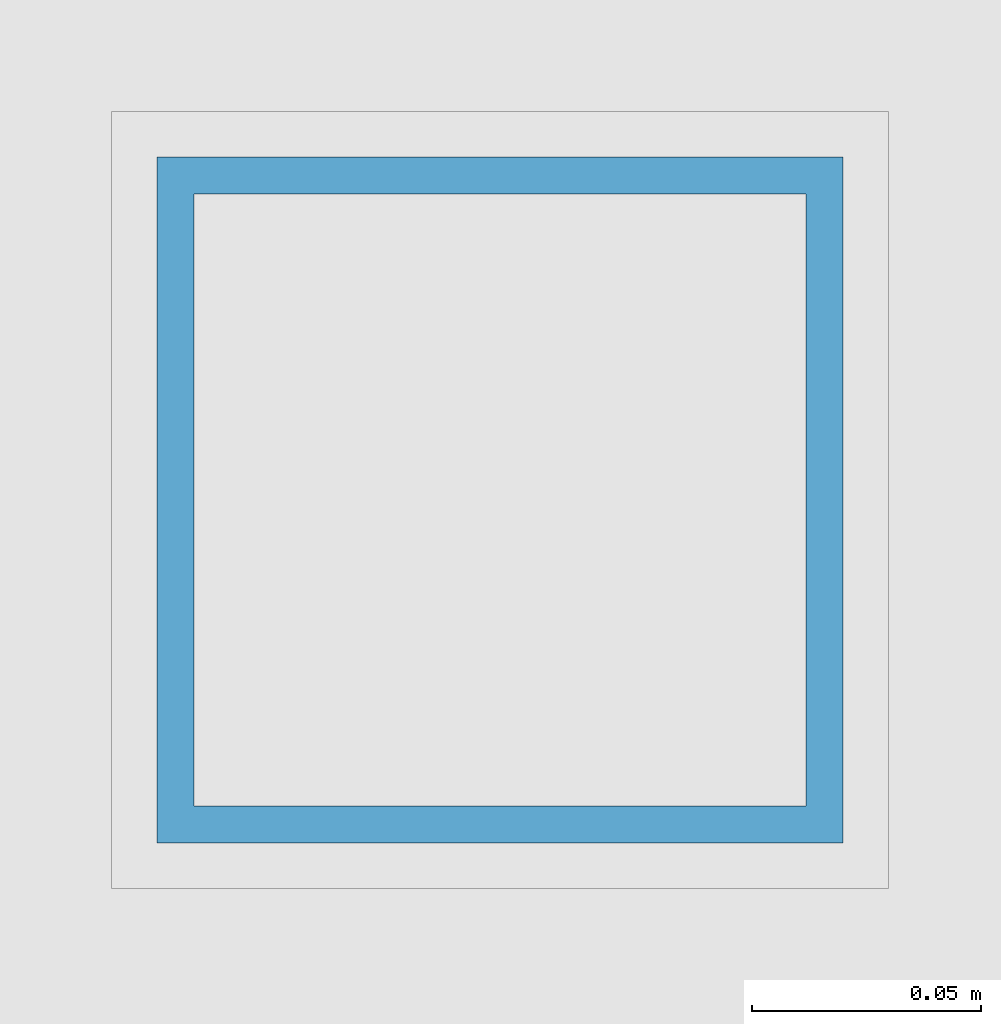
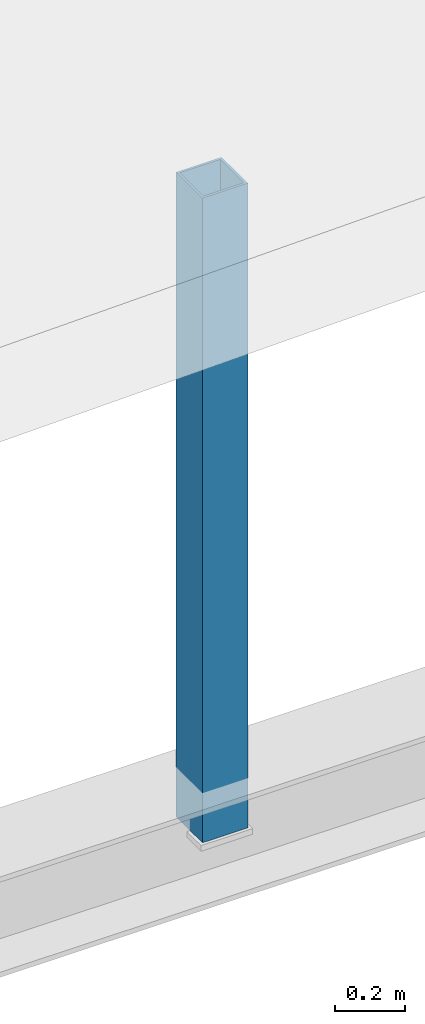
# One storey, part 61 of 204: 1 member.
"""IFC4 building model written with IfcOpenShell, lengths in metres."""

import ifcopenshell
import ifcopenshell.guid

model = None  # the IFC model being written
_history = None  # IfcOwnerHistory: only IFC2X3 demands one
_inside = {}  # id of a spatial element -> (the spatial element, [elements in it])
_under = {}  # id of a project, library or spatial element -> (it, [spatial elements below it])
_declared = {}  # id of a project -> (the project, [libraries it declares])
_typed = {}  # id of a type object -> (the type object, [elements of that type])
_made_of = {}  # id of a material, layer set ... -> (it, [elements and type objects made of it])


def new_model(schema):
    """Start an empty IFC model of exactly this schema.

    Asked for "IFC4X3", IfcOpenShell would pick the latest addendum, in which some entities
    have other attributes; the version numbers below select the first issue.
    IFC2X3 requires an IfcOwnerHistory on every rooted entity: one is made here for all.
    """
    global model, _history
    if schema == "IFC4X3":
        model = ifcopenshell.file(schema_version=(4, 3, 0, 0))
    else:
        model = ifcopenshell.file(schema=schema)
    _inside.clear()
    _under.clear()
    _declared.clear()
    _typed.clear()
    _made_of.clear()
    _history = None
    if model.schema == "IFC2X3":
        org = make("IfcOrganization", Name="unknown")
        user = make(
            "IfcPersonAndOrganization",
            ThePerson=make("IfcPerson", FamilyName="unknown"),
            TheOrganization=org,
        )
        app = make(
            "IfcApplication",
            ApplicationDeveloper=org,
            Version="unknown",
            ApplicationFullName="unknown",
            ApplicationIdentifier="unknown",
        )
        _history = make(
            "IfcOwnerHistory",
            OwningUser=user,
            OwningApplication=app,
            ChangeAction="ADDED",
            CreationDate=0,
        )
    return model


def make(cls, **values):
    """One entity of the class cls with the attributes given. An attribute that is None is left unset."""
    return model.create_entity(
        cls, **{name: value for name, value in values.items() if value is not None}
    )


def rooted(cls, **values):
    """An entity with a GlobalId (a new one), such as an element, a storey or a relation."""
    return make(cls, GlobalId=ifcopenshell.guid.new(), OwnerHistory=_history, **values)


def si_unit(unit_type, name, prefix=None):
    """IfcSIUnit, for example si_unit("LENGTHUNIT", "METRE", prefix="MILLI")."""
    return make("IfcSIUnit", UnitType=unit_type, Prefix=prefix, Name=name)


def assignment(units):
    """IfcUnitAssignment: the units of a project."""
    return None if units is None else make("IfcUnitAssignment", Units=units)


def point(xyz):
    """IfcCartesianPoint."""
    return None if xyz is None else make("IfcCartesianPoint", Coordinates=xyz)


def direction(xyz):
    """IfcDirection."""
    return None if xyz is None else make("IfcDirection", DirectionRatios=xyz)


def frame(location, z_axis=None, x_axis=None):
    """IfcAxis2Placement3D, a coordinate frame: its origin and axes. An axis left out is left unset."""
    return make(
        "IfcAxis2Placement3D",
        Location=point(location),
        Axis=direction(z_axis),
        RefDirection=direction(x_axis),
    )


def frame_2d(location, x_axis=None):
    """IfcAxis2Placement2D, a coordinate frame in the plane: its origin and x axis."""
    return make(
        "IfcAxis2Placement2D", Location=point(location), RefDirection=direction(x_axis)
    )


def origin():
    """The frame at (0, 0, 0) with its axes left unset."""
    return frame((0.0, 0.0, 0.0))


def origin_2d():
    """The frame at (0, 0) in the plane with its x axis left unset."""
    return frame_2d((0.0, 0.0))


def place(relative_to, where):
    """IfcLocalPlacement: puts the frame where relative to a parent placement (None: the world)."""
    return make(
        "IfcLocalPlacement", PlacementRelTo=relative_to, RelativePlacement=where
    )


def context(
    kind, dimensions, precision=None, world=None, true_north=None, identifier=None
):
    """IfcGeometricRepresentationContext, for example the 3D "Model" context."""
    return make(
        "IfcGeometricRepresentationContext",
        ContextIdentifier=identifier,
        ContextType=kind,
        CoordinateSpaceDimension=dimensions,
        Precision=precision,
        WorldCoordinateSystem=world,
        TrueNorth=true_north,
    )


def subcontext(parent, identifier, kind, view, scale=None):
    """IfcGeometricRepresentationSubContext, for example "Body" below "Model"."""
    return make(
        "IfcGeometricRepresentationSubContext",
        ContextIdentifier=identifier,
        ContextType=kind,
        ParentContext=parent,
        TargetScale=scale,
        TargetView=view,
    )


def project(units=None, contexts=None):
    """IfcProject with its units and contexts."""
    return rooted(
        "IfcProject",
        Name="project",
        RepresentationContexts=contexts,
        UnitsInContext=assignment(units),
    )


def spatial(cls, under=None, at=None, **own):
    """A site, building, storey or space (cls), placed at a placement, below another one or the project."""
    s = rooted(cls, ObjectPlacement=at, **own)
    if under is not None:
        _under.setdefault(under.id(), (under, []))[1].append(s)
    return s


def profile(cls, at=None, kind="AREA", **sizes):
    """A parametric profile (cls). Its sizes go by their IFC names, for example OverallWidth=200.0."""
    return make(cls, ProfileType=kind, Position=at, **sizes)


def hollow_rectangle(**sizes):
    """IfcRectangleHollowProfileDef."""
    return profile("IfcRectangleHollowProfileDef", **sizes)


def extrude(swept, where, along, depth):
    """IfcExtrudedAreaSolid: the profile swept, set in the frame where, extruded along a direction by depth."""
    return make(
        "IfcExtrudedAreaSolid",
        SweptArea=swept,
        Position=where,
        ExtrudedDirection=direction(along),
        Depth=depth,
    )


def shape(context_of_items, identifier, shape_type, items):
    """IfcShapeRepresentation: the items that make up one representation, for example the "Body"."""
    return make(
        "IfcShapeRepresentation",
        ContextOfItems=context_of_items,
        RepresentationIdentifier=identifier,
        RepresentationType=shape_type,
        Items=items,
    )


def material(Name=None, Category=None):
    """IfcMaterial."""
    return make("IfcMaterial", Name=Name, Category=Category)


def material_profile(
    of_material, cross_section, Name=None, Category=None, Priority=None
):
    """IfcMaterialProfile: a cross section and its material."""
    return make(
        "IfcMaterialProfile",
        Name=Name,
        Material=of_material,
        Profile=cross_section,
        Priority=Priority,
        Category=Category,
    )


def profile_set(profiles, Name=None, composite=None):
    """IfcMaterialProfileSet."""
    return make(
        "IfcMaterialProfileSet",
        Name=Name,
        MaterialProfiles=profiles,
        CompositeProfile=composite,
    )


def made_of(thing, what):
    """Note that an element or type object is made of a material, layer set ...; save() writes the relation."""
    if what is not None:
        _made_of.setdefault(what.id(), (what, []))[1].append(thing)
    return thing


def type_object(cls, material=None, **own):
    """A type object (cls), such as IfcWallType, which elements share."""
    return made_of(rooted(cls, **own), material)


def element(
    cls,
    number,
    at=None,
    inside=None,
    cuts=None,
    type_object=None,
    material=None,
    context=None,
    identifier="Body",
    shape_type=None,
    held_by="IfcProductDefinitionShape",
    body=None,
    shapes=None,
    **own,
):
    """One element of the class cls, such as IfcWall. Its Tag is "e" and its number.

    at: its placement. inside: the storey or other place that contains it. cuts: it is an
    opening in that element (IfcRelVoidsElement). A single representation is given by context,
    identifier, shape_type and body (its items); several are given by shapes. held_by: the class
    of the entity that holds the representations. save() writes the other relations.
    """
    e = rooted(cls, Tag="e%d" % number, ObjectPlacement=at, **own)
    if body is not None:
        shapes = [shape(context, identifier, shape_type, body)]
    if shapes is not None:
        e.Representation = make(held_by, Representations=shapes)
    if inside is not None:
        _inside.setdefault(inside.id(), (inside, []))[1].append(e)
    if cuts is not None:
        rooted(
            "IfcRelVoidsElement", RelatingBuildingElement=cuts, RelatedOpeningElement=e
        )
    if type_object is not None:
        _typed.setdefault(type_object.id(), (type_object, []))[1].append(e)
    return made_of(e, material)


def aggregate(whole, parts):
    """IfcRelAggregates: a whole, such as a stair, and the parts it consists of."""
    return rooted("IfcRelAggregates", RelatingObject=whole, RelatedObjects=parts)


def save(model, path):
    """Write the relations noted so far, then the file.

    IfcRelAggregates (storeys below a building ...), IfcRelContainedInSpatialStructure (elements
    in a storey), IfcRelDefinesByType, IfcRelAssociatesMaterial and IfcRelDeclares: one each for
    every whole, place, type object, material and project.
    """
    for whole, parts in _under.values():
        aggregate(whole, parts)
    for where, things in _inside.values():
        rooted(
            "IfcRelContainedInSpatialStructure",
            RelatedElements=things,
            RelatingStructure=where,
        )
    for kind, things in _typed.values():
        rooted("IfcRelDefinesByType", RelatedObjects=things, RelatingType=kind)
    for what, things in _made_of.values():
        rooted("IfcRelAssociatesMaterial", RelatedObjects=things, RelatingMaterial=what)
    for by, libraries in _declared.values():
        rooted("IfcRelDeclares", RelatingContext=by, RelatedDefinitions=libraries)
    model.write(path)


model = new_model("IFC4")

# Units and contexts
model_context = context("Model", 3, precision=1e-05, world=origin(), true_north=direction((0.0, 1.0)))
body_context = subcontext(model_context, "Body", "Model", "MODEL_VIEW")
ifc_project = project(units=[si_unit("LENGTHUNIT", "METRE"), si_unit("AREAUNIT", "SQUARE_METRE"), si_unit("VOLUMEUNIT", "CUBIC_METRE"), si_unit("PLANEANGLEUNIT", "RADIAN"), si_unit("MASSUNIT", "GRAM", prefix="KILO")], contexts=[model_context])

# Site, building, storey
site_placement = place(None, origin())
site = spatial("IfcSite", under=ifc_project, at=site_placement, CompositionType="ELEMENT")
building_placement = place(site_placement, origin())
building = spatial("IfcBuilding", under=site, at=building_placement, Name="Zilviju Railside Exhibition Hall", CompositionType="ELEMENT")
storey_placement = place(building_placement, frame((0.0, 0.0, 21.0)))
storey = spatial("IfcBuildingStorey", under=building, at=storey_placement, Name="RF", CompositionType="ELEMENT", Elevation=21.0)

# Member
ifc_material = material(Name="Steel S355J2", Category="steel")
ifc_material_profile = material_profile(ifc_material, hollow_rectangle(XDim=0.14990234375, YDim=0.14990234375, WallThickness=0.008056640625, at=origin_2d()), Name="SHS 150x150x8.0")
ifc_profile_set = profile_set([ifc_material_profile], Name="Steel S355J2")
member_type = type_object("IfcMemberType", Name="TR-POST-SHS150", PredefinedType="POST", material=ifc_profile_set)
member_placement = place(storey_placement, frame((55.5, 102.0, -8.39990234375), z_axis=(0.0, 0.0, 1.0), x_axis=(1.0, 0.0, 0.0)))
element("IfcMember", 1, at=member_placement, inside=storey, type_object=member_type, Name="Concourse Saddle Queen Post Y=102.0", PredefinedType="POST", context=body_context, shape_type="SweptSolid", body=[
    extrude(hollow_rectangle(XDim=0.14990234375, YDim=0.14990234375, WallThickness=0.008056640625, at=origin_2d()), origin(), (0.0, 0.0, 1.0), 2.25),
])

save(model, "model.ifc")
